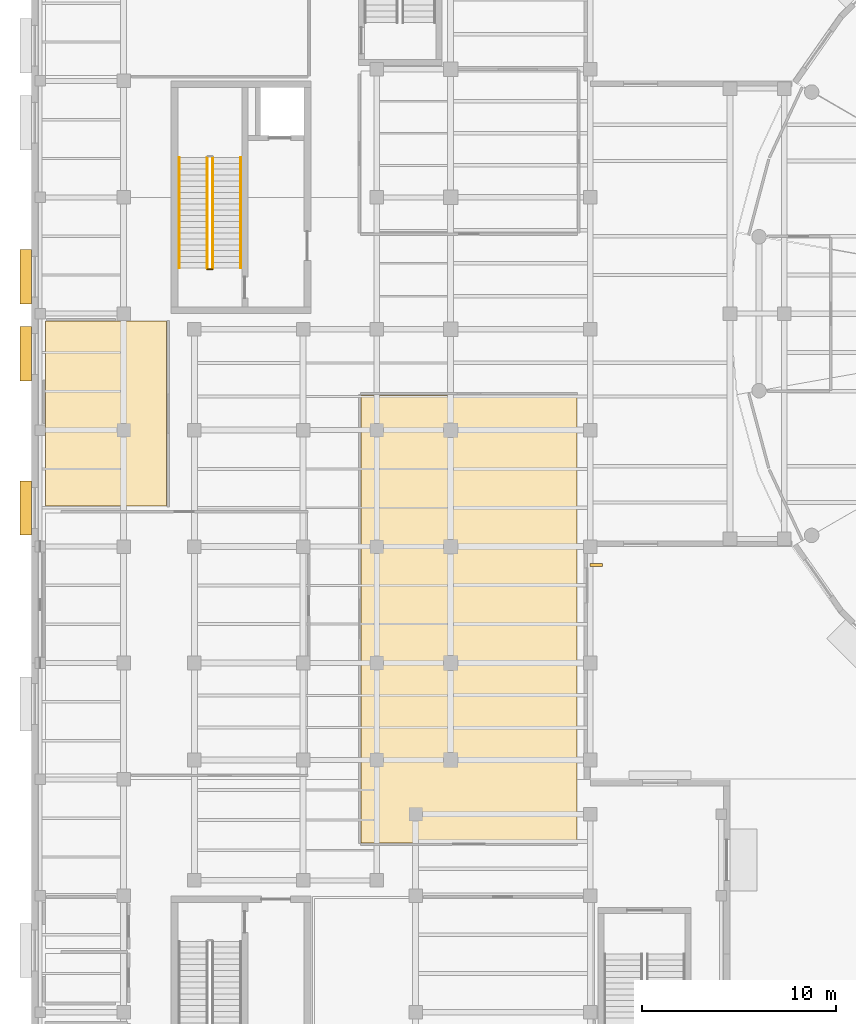
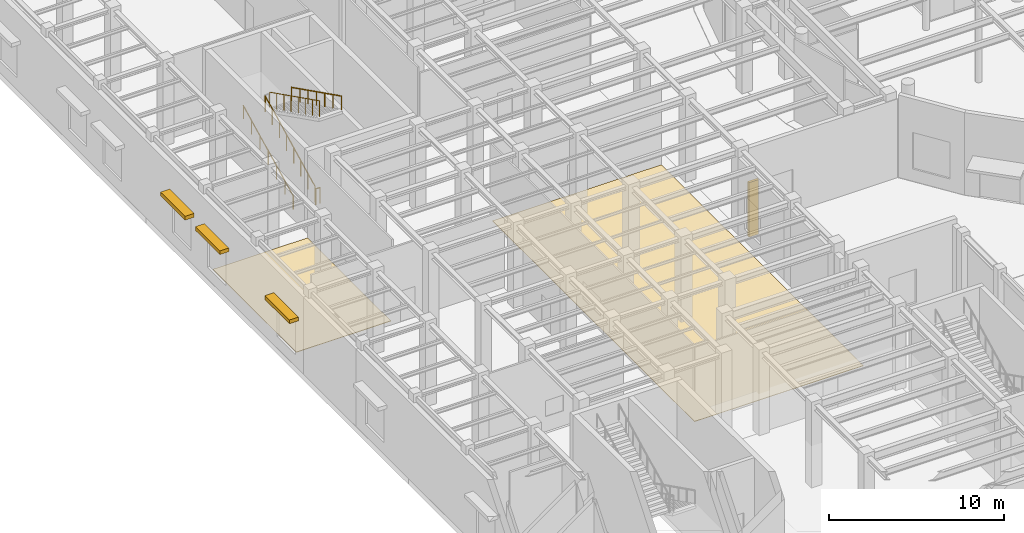
# One storey, part 102 of 118: 5 railings, 4 shading devices, 2 coverings, 1 element without a shape of its own.
"""IFC4 building model written with IfcOpenShell, lengths in metres."""

from ifc_helpers import new_model, si_unit, direction, frame, origin, origin_2d, place, context, subcontext, project, spatial, polyline, rectangle, circle, outline, extrude, material, layer, layer_set, type_object, element, aggregate, save


model = new_model("IFC4")

# Units and contexts
model_context = context("Model", 3, precision=1e-05, world=origin(), true_north=direction((0.0, 1.0)))
body_context = subcontext(model_context, "Body", "Model", "MODEL_VIEW")
ifc_project = project(units=[si_unit("LENGTHUNIT", "METRE"), si_unit("AREAUNIT", "SQUARE_METRE"), si_unit("VOLUMEUNIT", "CUBIC_METRE"), si_unit("PLANEANGLEUNIT", "RADIAN"), si_unit("MASSUNIT", "GRAM", prefix="KILO")], contexts=[model_context])

# Site, building, storey
site_placement = place(None, origin())
site = spatial("IfcSite", under=ifc_project, at=site_placement, CompositionType="ELEMENT")
building_placement = place(site_placement, origin())
building = spatial("IfcBuilding", under=site, at=building_placement, Name="Kolvaren Corner Interchange", CompositionType="ELEMENT")
storey_placement = place(building_placement, origin())
storey = spatial("IfcBuildingStorey", under=building, at=storey_placement, Name="L01", CompositionType="ELEMENT", Elevation=0.0)

# Coverings
ifc_material_1 = material(Name="Polished Niger Delta Granite Terrazzo Flooring", Category="masonry")
ifc_layer = layer(ifc_material_1, 0.030029296875)
ifc_layer_set = layer_set([ifc_layer], Name="Polished Niger Delta Granite Terrazzo Flooring")
covering_type = type_object("IfcCoveringType", Name="COV-FLR-TER30", PredefinedType="FLOORING", material=ifc_layer_set)
covering_1_placement = place(storey_placement, origin())
element("IfcCovering", 1, at=covering_1_placement, inside=storey, type_object=covering_type, Name="L01 Corner Station Cafe Floor Finish", PredefinedType="FLOORING", context=body_context, shape_type="SweptSolid", body=[
    extrude(outline(polyline([(16.97998046875, 20.72998046875), (28.1201171875, 20.72998046875), (28.1201171875, 43.820068359375), (16.97998046875, 43.820068359375), (16.97998046875, 20.72998046875)])), origin(), (0.0, 0.0, 1.0), 0.030029296875),
])
covering_2_placement = place(storey_placement, origin())
element("IfcCovering", 2, at=covering_2_placement, inside=storey, type_object=covering_type, Name="L01 Port Harcourt Bookshop and Pharmacy Floor Finish", PredefinedType="FLOORING", context=body_context, shape_type="SweptSolid", body=[
    extrude(outline(polyline([(0.72998046875, 38.080078125), (6.969970703125, 38.080078125), (6.969970703125, 47.6201171875), (0.72998046875, 47.6201171875), (0.72998046875, 38.080078125)])), origin(), (0.0, 0.0, 1.0), 0.030029296875),
])

# Railing
ifc_material_2 = material(Name="Powder-Coated Steel Stairwell Guardrail", Category="steel")
railing_type_1 = type_object("IfcRailingType", Name="RLT-STAIR-GRD1120", PredefinedType="GUARDRAIL", material=ifc_material_2)
railing_1_placement = place(storey_placement, frame((9.06005859375, 50.2900390625, 0.0)))
element("IfcRailing", 3, at=railing_1_placement, inside=storey, type_object=railing_type_1, Name="Core C2 Northwest Firefighting Stair L01 Landing Edge Guardrail", PredefinedType="GUARDRAIL", context=body_context, shape_type="SweptSolid", body=[
    extrude(circle(Radius=0.02392578125, at=origin_2d()), frame((0.0, 0.0, 1.09619140625), z_axis=(1.0, 0.0, 0.0), x_axis=(0.0, 1.0, 0.0)), (0.0, 0.0, 1.0), 0.280029296875),
    extrude(circle(Radius=0.02001953125, at=origin_2d()), origin(), (0.0, 0.0, 1.0), 1.072021484375),
    extrude(circle(Radius=0.02001953125, at=origin_2d()), frame((0.280029296875, 0.0, 0.0)), (0.0, 0.0, 1.0), 1.072021484375),
])

# Stair, railings
ifc_material_3 = material(Name="Concrete C35/45", Category="concrete")
stair_type = type_object("IfcStairType", Name="ST-FF-1550", PredefinedType="HALF_TURN_STAIR", material=ifc_material_3)
stair_placement = place(storey_placement, origin())
stair = element("IfcStair", 4, at=stair_placement, inside=storey, type_object=stair_type, Name="Core C2 Northwest Firefighting Stair L01 to L02 Stair", PredefinedType="HALF_TURN_STAIR")
railing_2_placement = place(storey_placement, frame((9.050048828125, 50.35009765625, 0.14990234375)))
railing_2 = element("IfcRailing", 5, at=railing_2_placement, type_object=railing_type_1, Name="Core C2 Northwest Firefighting Stair L01 Lower Flight Well Guardrail", PredefinedType="GUARDRAIL", context=body_context, shape_type="SweptSolid", body=[
    extrude(circle(Radius=0.02392578125, at=origin_2d()), frame((0.0, 0.0, 1.09619140625), z_axis=(0.0, 0.894419528903, 0.447228919365), x_axis=(-1.0, 0.0, 0.0)), (0.0, 0.0, 1.0), 6.372802734375),
    extrude(circle(Radius=0.02001953125, at=origin_2d()), origin(), (0.0, 0.0, 1.0), 1.072021484375),
    extrude(circle(Radius=0.02001953125, at=origin_2d()), frame((0.0, 0.814208984375, 0.4072265625)), (0.0, 0.0, 1.0), 1.072021484375),
    extrude(circle(Radius=0.02001953125, at=origin_2d()), frame((0.0, 1.628662109375, 0.814208984375)), (0.0, 0.0, 1.0), 1.072021484375),
    extrude(circle(Radius=0.02001953125, at=origin_2d()), frame((0.0, 2.44287109375, 1.221435546875)), (0.0, 0.0, 1.0), 1.072021484375),
    extrude(circle(Radius=0.02001953125, at=origin_2d()), frame((0.0, 3.257080078125, 1.628662109375)), (0.0, 0.0, 1.0), 1.072021484375),
    extrude(circle(Radius=0.02001953125, at=origin_2d()), frame((0.0, 4.0712890625, 2.035888671875)), (0.0, 0.0, 1.0), 1.072021484375),
    extrude(circle(Radius=0.02001953125, at=origin_2d()), frame((0.0, 4.8857421875, 2.44287109375)), (0.0, 0.0, 1.0), 1.072021484375),
    extrude(circle(Radius=0.02001953125, at=origin_2d()), frame((0.0, 5.699951171875, 2.85009765625)), (0.0, 0.0, 1.0), 1.072021484375),
])
railing_3_placement = place(storey_placement, frame((9.35009765625, 56.050048828125, 3.14990234375)))
railing_3 = element("IfcRailing", 6, at=railing_3_placement, type_object=railing_type_1, Name="Core C2 Northwest Firefighting Stair L01 Upper Flight Well Guardrail", PredefinedType="GUARDRAIL", context=body_context, shape_type="SweptSolid", body=[
    extrude(circle(Radius=0.02392578125, at=origin_2d()), frame((0.0, 0.0, 1.09619140625), z_axis=(0.0, -0.894419528903, 0.447228919365), x_axis=(1.0, 0.0, 0.0)), (0.0, 0.0, 1.0), 6.372802734375),
    extrude(circle(Radius=0.02001953125, at=origin_2d()), origin(), (0.0, 0.0, 1.0), 1.072021484375),
    extrude(circle(Radius=0.02001953125, at=origin_2d()), frame((0.0, -0.814208984375, 0.4072265625)), (0.0, 0.0, 1.0), 1.072021484375),
    extrude(circle(Radius=0.02001953125, at=origin_2d()), frame((0.0, -1.628662109375, 0.814208984375)), (0.0, 0.0, 1.0), 1.072021484375),
    extrude(circle(Radius=0.02001953125, at=origin_2d()), frame((0.0, -2.44287109375, 1.221435546875)), (0.0, 0.0, 1.0), 1.072021484375),
    extrude(circle(Radius=0.02001953125, at=origin_2d()), frame((0.0, -3.257080078125, 1.628662109375)), (0.0, 0.0, 1.0), 1.072021484375),
    extrude(circle(Radius=0.02001953125, at=origin_2d()), frame((0.0, -4.0712890625, 2.035888671875)), (0.0, 0.0, 1.0), 1.072021484375),
    extrude(circle(Radius=0.02001953125, at=origin_2d()), frame((0.0, -4.8857421875, 2.44287109375)), (0.0, 0.0, 1.0), 1.072021484375),
    extrude(circle(Radius=0.02001953125, at=origin_2d()), frame((0.0, -5.699951171875, 2.85009765625)), (0.0, 0.0, 1.0), 1.072021484375),
])
ifc_material_4 = material(Name="Brushed Stainless Steel Stair Handrail", Category="steel")
railing_type_2 = type_object("IfcRailingType", Name="RLT-STAIR-HR950", PredefinedType="HANDRAIL", material=ifc_material_4)
railing_4_placement = place(storey_placement, frame((7.610107421875, 50.35009765625, 0.14990234375)))
railing_4 = element("IfcRailing", 7, at=railing_4_placement, type_object=railing_type_2, Name="Core C2 Northwest Firefighting Stair L01 Lower Flight Wall Handrail", PredefinedType="HANDRAIL", context=body_context, shape_type="SweptSolid", body=[
    extrude(circle(Radius=0.02197265625, at=origin_2d()), frame((0.0, 0.0, 0.927978515625), z_axis=(0.0, 0.894419528903, 0.447228919365), x_axis=(-1.0, 0.0, 0.0)), (0.0, 0.0, 1.0), 6.372802734375),
    extrude(circle(Radius=0.01806640625, at=origin_2d()), origin(), (0.0, 0.0, 1.0), 0.906005859375),
    extrude(circle(Radius=0.01806640625, at=origin_2d()), frame((0.0, 0.949951171875, 0.47509765625)), (0.0, 0.0, 1.0), 0.906005859375),
    extrude(circle(Radius=0.01806640625, at=origin_2d()), frame((0.0, 1.89990234375, 0.949951171875)), (0.0, 0.0, 1.0), 0.906005859375),
    extrude(circle(Radius=0.01806640625, at=origin_2d()), frame((0.0, 2.85009765625, 1.425048828125)), (0.0, 0.0, 1.0), 0.906005859375),
    extrude(circle(Radius=0.01806640625, at=origin_2d()), frame((0.0, 3.800048828125, 1.900146484375)), (0.0, 0.0, 1.0), 0.906005859375),
    extrude(circle(Radius=0.01806640625, at=origin_2d()), frame((0.0, 4.75, 2.375)), (0.0, 0.0, 1.0), 0.906005859375),
    extrude(circle(Radius=0.01806640625, at=origin_2d()), frame((0.0, 5.699951171875, 2.85009765625)), (0.0, 0.0, 1.0), 0.906005859375),
])
railing_5_placement = place(storey_placement, frame((10.7900390625, 56.050048828125, 3.14990234375)))
railing_5 = element("IfcRailing", 8, at=railing_5_placement, type_object=railing_type_2, Name="Core C2 Northwest Firefighting Stair L01 Upper Flight Wall Handrail", PredefinedType="HANDRAIL", context=body_context, shape_type="SweptSolid", body=[
    extrude(circle(Radius=0.02197265625, at=origin_2d()), frame((0.0, 0.0, 0.927978515625), z_axis=(0.0, -0.894419528903, 0.447228919365), x_axis=(1.0, 0.0, 0.0)), (0.0, 0.0, 1.0), 6.372802734375),
    extrude(circle(Radius=0.01806640625, at=origin_2d()), origin(), (0.0, 0.0, 1.0), 0.906005859375),
    extrude(circle(Radius=0.01806640625, at=origin_2d()), frame((0.0, -0.949951171875, 0.47509765625)), (0.0, 0.0, 1.0), 0.906005859375),
    extrude(circle(Radius=0.01806640625, at=origin_2d()), frame((0.0, -1.89990234375, 0.949951171875)), (0.0, 0.0, 1.0), 0.906005859375),
    extrude(circle(Radius=0.01806640625, at=origin_2d()), frame((0.0, -2.85009765625, 1.425048828125)), (0.0, 0.0, 1.0), 0.906005859375),
    extrude(circle(Radius=0.01806640625, at=origin_2d()), frame((0.0, -3.800048828125, 1.900146484375)), (0.0, 0.0, 1.0), 0.906005859375),
    extrude(circle(Radius=0.01806640625, at=origin_2d()), frame((0.0, -4.75, 2.375)), (0.0, 0.0, 1.0), 0.906005859375),
    extrude(circle(Radius=0.01806640625, at=origin_2d()), frame((0.0, -5.699951171875, 2.85009765625)), (0.0, 0.0, 1.0), 0.906005859375),
])
aggregate(stair, [railing_2, railing_3, railing_4, railing_5])

# Shading devices
ifc_material_5 = material(Name="Cream Ceramic Baguette Brise-Soleil")
shading_device_type_1 = type_object("IfcShadingDeviceType", Name="SHD-BAG-H600", PredefinedType="JALOUSIE", material=ifc_material_5)
for number, where, z_axis, x_axis, name in (
    (9, (-0.2900390625, 49.90087890625, 3.3798828125), (0.0, 0.0, 1.0), (0.0, -1.0, 0.0), "L01 Ceramic Solar Shading 0022"),
    (10, (-0.2900390625, 45.92919921875, 3.3798828125), (0.0, 0.0, 1.0), (0.0, -1.0, 0.0), "L01 Ceramic Solar Shading 0023"),
    (11, (-0.2900390625, 37.98583984375, 3.3798828125), (0.0, 0.0, 1.0), (0.0, -1.0, 0.0), "L01 Ceramic Solar Shading 0024"),
):
    element("IfcShadingDevice", number, at=place(storey_placement, frame(where, z_axis=z_axis, x_axis=x_axis)), inside=storey, type_object=shading_device_type_1, Name=name, PredefinedType="JALOUSIE", context=body_context, shape_type="SweptSolid", body=[
        extrude(rectangle(XDim=2.800048828125, YDim=0.60009765625, at=origin_2d()), origin(), (0.0, 0.0, 1.0), 0.260009765625),
    ])
ifc_material_6 = material(Name="Deep Monsoon Terracotta Solar Fin", Category="masonry")
shading_device_type_2 = type_object("IfcShadingDeviceType", Name="SHD-FIN-V650", PredefinedType="USERDEFINED", material=ifc_material_6)
shading_device_placement = place(storey_placement, frame((29.114990234375, 35.06005859375, 0.09521484375), z_axis=(0.0, 0.0, 1.0), x_axis=(0.0, 1.0, 0.0)))
element("IfcShadingDevice", 12, at=shading_device_placement, inside=storey, type_object=shading_device_type_2, Name="L01 Ceramic Solar Shading 0008", ObjectType="SUNSHADE", PredefinedType="USERDEFINED", context=body_context, shape_type="SweptSolid", body=[
    extrude(rectangle(XDim=0.159912109375, YDim=0.64990234375, at=origin_2d()), origin(), (0.0, 0.0, 1.0), 3.800048828125),
])

save(model, "model.ifc")
